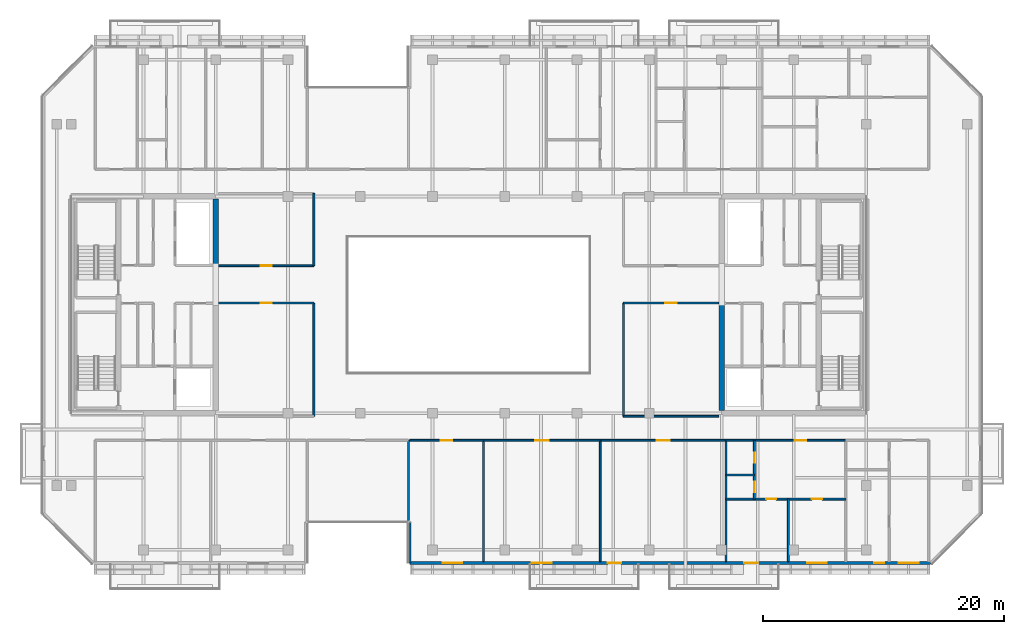
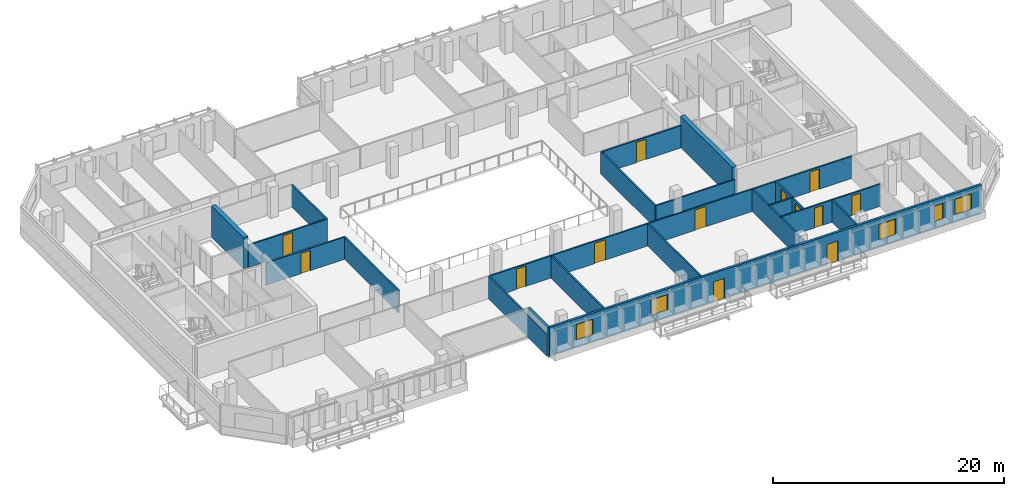
# One storey, part 11 of 22: 23 walls, 13 doors, 5 windows, 18 openings.
"""IFC4 building model written with IfcOpenShell, lengths in metres."""

from ifc_helpers import new_model, si_unit, direction, frame, frame_2d, origin, place, context, subcontext, project, spatial, rectangle, extrude, material, layer, layer_set, type_object, element, fill, save


model = new_model("IFC4")

# Units and contexts
model_context = context("Model", 3, precision=1e-05, world=origin(), true_north=direction((0.0, 1.0)))
body_context = subcontext(model_context, "Body", "Model", "MODEL_VIEW")
ifc_project = project(units=[si_unit("LENGTHUNIT", "METRE"), si_unit("AREAUNIT", "SQUARE_METRE"), si_unit("VOLUMEUNIT", "CUBIC_METRE"), si_unit("PLANEANGLEUNIT", "RADIAN"), si_unit("MASSUNIT", "GRAM", prefix="KILO")], contexts=[model_context])

# Site, building, storey
site_placement = place(None, origin())
site = spatial("IfcSite", under=ifc_project, at=site_placement, CompositionType="ELEMENT")
building_placement = place(site_placement, origin())
building = spatial("IfcBuilding", under=site, at=building_placement, Name="Tanjung Sevakor Pilgrim Tower", CompositionType="ELEMENT")
storey_placement = place(building_placement, frame((0.0, 0.0, 195.030029296875)))
storey = spatial("IfcBuildingStorey", under=building, at=storey_placement, Name="L54", CompositionType="ELEMENT", Elevation=195.030029296875)

# Walls
ifc_material_1 = material(Name="Concrete C60/75", Category="concrete")
ifc_layer_1 = layer(ifc_material_1, 0.449951171875)
ifc_layer_set_1 = layer_set([ifc_layer_1], Name="WALL-CW-450")
wall_type_1 = type_object("IfcWallType", Name="WALL-CW-450", PredefinedType="SHEAR", material=ifc_layer_set_1)
wall_1_placement = place(storey_placement, frame((36.0, 36.800048828125, 0.0), z_axis=(0.0, 0.0, 1.0), x_axis=(0.0, 1.0, 0.0)))
element("IfcWall", 1, at=wall_1_placement, inside=storey, type_object=wall_type_1, Name="L54 W Core Inner Shear Wall North", PredefinedType="SHEAR", context=body_context, shape_type="SweptSolid", body=[
    extrude(rectangle(XDim=5.574951171875, YDim=0.449951171875, at=frame_2d((2.78759765625, 0.0))), origin(), (0.0, 0.0, 1.0), 3.300048828125),
])
wall_2_placement = place(storey_placement, frame((78.0, 24.824951171875, 0.0), z_axis=(0.0, 0.0, 1.0), x_axis=(0.0, 1.0, 0.0)))
element("IfcWall", 2, at=wall_2_placement, inside=storey, type_object=wall_type_1, Name="L54 E Core Inner Shear Wall South", PredefinedType="SHEAR", context=body_context, shape_type="SweptSolid", body=[
    extrude(rectangle(XDim=8.97509765625, YDim=0.449951171875, at=frame_2d((4.487548828125, 0.0))), origin(), (0.0, 0.0, 1.0), 3.300048828125),
])

# Wall, opening, door
ifc_material_2 = material(Name="Concrete C40/50", Category="concrete")
ifc_layer_2 = layer(ifc_material_2, 0.14990234375)
ifc_layer_set_2 = layer_set([ifc_layer_2], Name="WT-COMP-150")
wall_type_2 = type_object("IfcWallType", Name="WT-COMP-150", PredefinedType="SOLIDWALL", material=ifc_layer_set_2)
wall_3_placement = place(storey_placement, frame((36.2451171875, 33.75, 0.0), z_axis=(0.0, 0.0, 1.0), x_axis=(1.0, 0.0, 0.0)))
wall_3 = element("IfcWall", 3, at=wall_3_placement, inside=storey, type_object=wall_type_2, Name="L54 Partition IW-L54-034", PredefinedType="SOLIDWALL", context=body_context, shape_type="SweptSolid", body=[
    extrude(rectangle(XDim=7.90478515625, YDim=0.14990234375, at=frame_2d((3.952392578125, 0.0))), origin(), (0.0, 0.0, 1.0), 2.35009765625),
])
opening_1_placement = place(wall_3_placement, frame((3.4775390625, 0.0, 0.0)))
opening_1 = element("IfcOpeningElement", 4, at=opening_1_placement, cuts=wall_3, Name="Opening ID-RM1", PredefinedType="OPENING", context=body_context, shape_type="SweptSolid", body=[
    extrude(rectangle(XDim=0.949951171875, YDim=2.14990234375, at=frame_2d((0.47509765625, 1.074951171875))), frame((0.0, 0.0849609375, 0.0), z_axis=(0.0, -1.0, 0.0), x_axis=(1.0, 0.0, 0.0)), (0.0, 0.0, 1.0), 0.169921875),
])
ifc_material_3 = material(Name="Hardwood Timber", Category="wood")
door_type_1 = type_object("IfcDoorType", Name="DT-INT-950", OperationType="NOTDEFINED", PredefinedType="DOOR", material=ifc_material_3)
door_1_placement = place(opening_1_placement, origin())
door_1 = element("IfcDoor", 5, at=door_1_placement, inside=storey, type_object=door_type_1, Name="L54 West Inboard South Door", OperationType="SINGLE_SWING_RIGHT", OverallHeight=2.14990234375, OverallWidth=0.949951171875, PredefinedType="DOOR", context=body_context, shape_type="SweptSolid", body=[
    extrude(rectangle(XDim=0.949951171875, YDim=2.14990234375, at=frame_2d((0.47509765625, 1.074951171875))), frame((0.0, 0.02490234375, 0.0), z_axis=(0.0, -1.0, 0.0), x_axis=(1.0, 0.0, 0.0)), (0.0, 0.0, 1.0), 0.050048828125),
])
fill(opening_1, door_1)

# Wall
wall_4_placement = place(storey_placement, frame((44.14990234375, 24.35009765625, 0.0), z_axis=(0.0, 0.0, 1.0), x_axis=(0.0, 1.0, 0.0)))
element("IfcWall", 6, at=wall_4_placement, inside=storey, type_object=wall_type_2, Name="L54 Partition IW-L54-035", PredefinedType="SOLIDWALL", context=body_context, shape_type="SweptSolid", body=[
    extrude(rectangle(XDim=9.39990234375, YDim=0.14990234375, at=frame_2d((4.699951171875, 0.0))), origin(), (0.0, 0.0, 1.0), 2.35009765625),
])

# Wall, opening, door
wall_5_placement = place(storey_placement, frame((36.2451171875, 36.85009765625, 0.0), z_axis=(0.0, 0.0, 1.0), x_axis=(1.0, 0.0, 0.0)))
wall_5 = element("IfcWall", 7, at=wall_5_placement, inside=storey, type_object=wall_type_2, Name="L54 Partition IW-L54-036", PredefinedType="SOLIDWALL", context=body_context, shape_type="SweptSolid", body=[
    extrude(rectangle(XDim=7.90478515625, YDim=0.14990234375, at=frame_2d((3.952392578125, 0.0))), origin(), (0.0, 0.0, 1.0), 2.35009765625),
])
opening_2_placement = place(wall_5_placement, frame((3.4775390625, 0.0, 0.0)))
opening_2 = element("IfcOpeningElement", 8, at=opening_2_placement, cuts=wall_5, Name="Opening ID-RM1", PredefinedType="OPENING", context=body_context, shape_type="SweptSolid", body=[
    extrude(rectangle(XDim=0.949951171875, YDim=2.14990234375, at=frame_2d((0.47509765625, 1.074951171875))), frame((0.0, 0.0849609375, 0.0), z_axis=(0.0, -1.0, 0.0), x_axis=(1.0, 0.0, 0.0)), (0.0, 0.0, 1.0), 0.169921875),
])
door_2_placement = place(opening_2_placement, origin())
door_2 = element("IfcDoor", 9, at=door_2_placement, inside=storey, type_object=door_type_1, Name="L54 West Inboard North Door", OperationType="SINGLE_SWING_LEFT", OverallHeight=2.14990234375, OverallWidth=0.949951171875, PredefinedType="DOOR", context=body_context, shape_type="SweptSolid", body=[
    extrude(rectangle(XDim=0.949951171875, YDim=2.14990234375, at=frame_2d((0.47509765625, 1.074951171875))), frame((0.0, 0.02490234375, 0.0), z_axis=(0.0, -1.0, 0.0), x_axis=(1.0, 0.0, 0.0)), (0.0, 0.0, 1.0), 0.050048828125),
])
fill(opening_2, door_2)

# Walls
wall_6_placement = place(storey_placement, frame((44.14990234375, 36.85009765625, 0.0), z_axis=(0.0, 0.0, 1.0), x_axis=(0.0, 1.0, 0.0)))
element("IfcWall", 10, at=wall_6_placement, inside=storey, type_object=wall_type_2, Name="L54 Partition IW-L54-038", PredefinedType="SOLIDWALL", context=body_context, shape_type="SweptSolid", body=[
    extrude(rectangle(XDim=6.0, YDim=0.14990234375, at=frame_2d((3.0, 0.0))), origin(), (0.0, 0.0, 1.0), 2.35009765625),
])
wall_7_placement = place(storey_placement, frame((69.85009765625, 24.35009765625, 0.0), z_axis=(0.0, 0.0, 1.0), x_axis=(1.0, 0.0, 0.0)))
element("IfcWall", 11, at=wall_7_placement, inside=storey, type_object=wall_type_2, Name="L54 Partition IW-L54-039", PredefinedType="SOLIDWALL", context=body_context, shape_type="SweptSolid", body=[
    extrude(rectangle(XDim=7.90478515625, YDim=0.14990234375, at=frame_2d((3.952392578125, 0.0))), origin(), (0.0, 0.0, 1.0), 2.35009765625),
])

# Wall, opening, door
wall_8_placement = place(storey_placement, frame((69.85009765625, 33.75, 0.0), z_axis=(0.0, 0.0, 1.0), x_axis=(1.0, 0.0, 0.0)))
wall_8 = element("IfcWall", 12, at=wall_8_placement, inside=storey, type_object=wall_type_2, Name="L54 Partition IW-L54-040", PredefinedType="SOLIDWALL", context=body_context, shape_type="SweptSolid", body=[
    extrude(rectangle(XDim=7.90478515625, YDim=0.14990234375, at=frame_2d((3.952392578125, 0.0))), origin(), (0.0, 0.0, 1.0), 2.35009765625),
])
opening_3_placement = place(wall_8_placement, frame((3.4775390625, 0.0, 0.0)))
opening_3 = element("IfcOpeningElement", 13, at=opening_3_placement, cuts=wall_8, Name="Opening ID-RM1", PredefinedType="OPENING", context=body_context, shape_type="SweptSolid", body=[
    extrude(rectangle(XDim=0.949951171875, YDim=2.14990234375, at=frame_2d((0.47509765625, 1.074951171875))), frame((0.0, 0.0849609375, 0.0), z_axis=(0.0, -1.0, 0.0), x_axis=(1.0, 0.0, 0.0)), (0.0, 0.0, 1.0), 0.169921875),
])
door_3_placement = place(opening_3_placement, origin())
door_3 = element("IfcDoor", 14, at=door_3_placement, inside=storey, type_object=door_type_1, Name="L54 East Inboard South Door", OperationType="SINGLE_SWING_RIGHT", OverallHeight=2.14990234375, OverallWidth=0.949951171875, PredefinedType="DOOR", context=body_context, shape_type="SweptSolid", body=[
    extrude(rectangle(XDim=0.949951171875, YDim=2.14990234375, at=frame_2d((0.47509765625, 1.074951171875))), frame((0.0, 0.02490234375, 0.0), z_axis=(0.0, -1.0, 0.0), x_axis=(1.0, 0.0, 0.0)), (0.0, 0.0, 1.0), 0.050048828125),
])
fill(opening_3, door_3)

# Walls
wall_9_placement = place(storey_placement, frame((69.85009765625, 24.35009765625, 0.0), z_axis=(0.0, 0.0, 1.0), x_axis=(0.0, 1.0, 0.0)))
element("IfcWall", 15, at=wall_9_placement, inside=storey, type_object=wall_type_2, Name="L54 Partition IW-L54-041", PredefinedType="SOLIDWALL", context=body_context, shape_type="SweptSolid", body=[
    extrude(rectangle(XDim=9.39990234375, YDim=0.14990234375, at=frame_2d((4.699951171875, 0.0))), origin(), (0.0, 0.0, 1.0), 2.35009765625),
])
for number, where, z_axis, x_axis, name in (
    (16, (52.0, 12.27001953125, 0.0), (0.0, 0.0, 1.0), (0.0, 1.0, 0.0), "L54 Partition IW-L54-047"),
    (17, (58.23779296875, 12.27001953125, 0.0), (0.0, 0.0, 1.0), (0.0, 1.0, 0.0), "L54 Partition IW-L54-056"),
):
    element("IfcWall", number, at=place(storey_placement, frame(where, z_axis=z_axis, x_axis=x_axis)), inside=storey, type_object=wall_type_2, Name=name, PredefinedType="SOLIDWALL", context=body_context, shape_type="SweptSolid", body=[
        extrude(rectangle(XDim=10.080078125, YDim=0.14990234375, at=frame_2d((5.0400390625, 0.0))), origin(), (0.0, 0.0, 1.0), 2.35009765625),
    ])

# Wall, opening, door
wall_10_placement = place(storey_placement, frame((52.1201171875, 22.35009765625, 0.0), z_axis=(0.0, 0.0, 1.0), x_axis=(1.0, 0.0, 0.0)))
wall_10 = element("IfcWall", 18, at=wall_10_placement, inside=storey, type_object=wall_type_2, Name="L54 Partition IW-L54-057", PredefinedType="SOLIDWALL", context=body_context, shape_type="SweptSolid", body=[
    extrude(rectangle(XDim=6.11767578125, YDim=0.14990234375, at=frame_2d((3.058837890625, 0.0))), origin(), (0.0, 0.0, 1.0), 2.35009765625),
])
opening_4_placement = place(wall_10_placement, frame((2.583984375, 0.0, 0.0)))
opening_4 = element("IfcOpeningElement", 19, at=opening_4_placement, cuts=wall_10, Name="Opening ID-FD2", PredefinedType="OPENING", context=body_context, shape_type="SweptSolid", body=[
    extrude(rectangle(XDim=0.949951171875, YDim=2.14990234375, at=frame_2d((0.47509765625, 1.074951171875))), frame((0.0, 0.0849609375, 0.0), z_axis=(0.0, -1.0, 0.0), x_axis=(1.0, 0.0, 0.0)), (0.0, 0.0, 1.0), 0.169921875),
])
ifc_material_4 = material(Name="Fire-Rated Timber", Category="wood")
door_type_2 = type_object("IfcDoorType", Name="DT-FIRE-950", OperationType="NOTDEFINED", PredefinedType="DOOR", material=ifc_material_4)
door_4_placement = place(opening_4_placement, origin())
door_4 = element("IfcDoor", 20, at=door_4_placement, inside=storey, type_object=door_type_2, Name="Housekeeping Pantry Door", OperationType="SINGLE_SWING_RIGHT", OverallHeight=2.14990234375, OverallWidth=0.949951171875, PredefinedType="DOOR", context=body_context, shape_type="SweptSolid", body=[
    extrude(rectangle(XDim=0.949951171875, YDim=2.14990234375, at=frame_2d((0.47509765625, 1.074951171875))), frame((0.0, 0.02490234375, 0.0), z_axis=(0.0, -1.0, 0.0), x_axis=(1.0, 0.0, 0.0)), (0.0, 0.0, 1.0), 0.050048828125),
])
fill(opening_4, door_4)

# Wall
wall_11_placement = place(storey_placement, frame((67.924560546875, 12.27001953125, 0.0), z_axis=(0.0, 0.0, 1.0), x_axis=(0.0, 1.0, 0.0)))
element("IfcWall", 21, at=wall_11_placement, inside=storey, type_object=wall_type_2, Name="L54 Partition IW-L54-058", PredefinedType="SOLIDWALL", context=body_context, shape_type="SweptSolid", body=[
    extrude(rectangle(XDim=10.080078125, YDim=0.14990234375, at=frame_2d((5.0400390625, 0.0))), origin(), (0.0, 0.0, 1.0), 2.35009765625),
])

# Wall, opening, door
wall_12_placement = place(storey_placement, frame((58.23779296875, 22.35009765625, 0.0), z_axis=(0.0, 0.0, 1.0), x_axis=(1.0, 0.0, 0.0)))
wall_12 = element("IfcWall", 22, at=wall_12_placement, inside=storey, type_object=wall_type_2, Name="L54 Partition IW-L54-059", PredefinedType="SOLIDWALL", context=body_context, shape_type="SweptSolid", body=[
    extrude(rectangle(XDim=9.686767578125, YDim=0.14990234375, at=frame_2d((4.84326171875, 0.0))), origin(), (0.0, 0.0, 1.0), 2.35009765625),
])
opening_5_placement = place(wall_12_placement, frame((4.293212890625, 0.0, 0.0)))
opening_5 = element("IfcOpeningElement", 23, at=opening_5_placement, cuts=wall_12, Name="Opening ID-FD0", PredefinedType="OPENING", context=body_context, shape_type="SweptSolid", body=[
    extrude(rectangle(XDim=1.10009765625, YDim=2.14990234375, at=frame_2d((0.550048828125, 1.074951171875))), frame((0.0, 0.0849609375, 0.0), z_axis=(0.0, -1.0, 0.0), x_axis=(1.0, 0.0, 0.0)), (0.0, 0.0, 1.0), 0.169921875),
])
ifc_material_5 = material(Name="Fire-Rated Steel S355J2", Category="steel")
door_type_3 = type_object("IfcDoorType", Name="DT-FIRE-1100", OperationType="NOTDEFINED", PredefinedType="DOOR", material=ifc_material_5)
door_5_placement = place(opening_5_placement, origin())
door_5 = element("IfcDoor", 24, at=door_5_placement, inside=storey, type_object=door_type_3, Name="Seminar Room Door", OperationType="SINGLE_SWING_LEFT", OverallHeight=2.14990234375, OverallWidth=1.10009765625, PredefinedType="DOOR", context=body_context, shape_type="SweptSolid", body=[
    extrude(rectangle(XDim=1.10009765625, YDim=2.14990234375, at=frame_2d((0.550048828125, 1.074951171875))), frame((0.0, 0.02490234375, 0.0), z_axis=(0.0, -1.0, 0.0), x_axis=(1.0, 0.0, 0.0)), (0.0, 0.0, 1.0), 0.050048828125),
])
fill(opening_5, door_5)

# Wall
wall_13_placement = place(storey_placement, frame((78.3759765625, 12.27001953125, 0.0), z_axis=(0.0, 0.0, 1.0), x_axis=(0.0, 1.0, 0.0)))
element("IfcWall", 25, at=wall_13_placement, inside=storey, type_object=wall_type_2, Name="L54 Partition IW-L54-060", PredefinedType="SOLIDWALL", context=body_context, shape_type="SweptSolid", body=[
    extrude(rectangle(XDim=10.080078125, YDim=0.14990234375, at=frame_2d((5.0400390625, 0.0))), origin(), (0.0, 0.0, 1.0), 2.35009765625),
])

# Wall, opening, door
wall_14_placement = place(storey_placement, frame((67.924560546875, 22.35009765625, 0.0), z_axis=(0.0, 0.0, 1.0), x_axis=(1.0, 0.0, 0.0)))
wall_14 = element("IfcWall", 26, at=wall_14_placement, inside=storey, type_object=wall_type_2, Name="L54 Partition IW-L54-061", PredefinedType="SOLIDWALL", context=body_context, shape_type="SweptSolid", body=[
    extrude(rectangle(XDim=10.451416015625, YDim=0.14990234375, at=frame_2d((5.2255859375, 0.0))), origin(), (0.0, 0.0, 1.0), 2.35009765625),
])
opening_6_placement = place(wall_14_placement, frame((4.67578125, 0.0, 0.0)))
opening_6 = element("IfcOpeningElement", 27, at=opening_6_placement, cuts=wall_14, Name="Opening ID-FD0", PredefinedType="OPENING", context=body_context, shape_type="SweptSolid", body=[
    extrude(rectangle(XDim=1.10009765625, YDim=2.14990234375, at=frame_2d((0.550048828125, 1.074951171875))), frame((0.0, 0.0849609375, 0.0), z_axis=(0.0, -1.0, 0.0), x_axis=(1.0, 0.0, 0.0)), (0.0, 0.0, 1.0), 0.169921875),
])
door_6_placement = place(opening_6_placement, origin())
door_6 = element("IfcDoor", 28, at=door_6_placement, inside=storey, type_object=door_type_3, Name="Observatory Door", OperationType="SINGLE_SWING_RIGHT", OverallHeight=2.14990234375, OverallWidth=1.10009765625, PredefinedType="DOOR", context=body_context, shape_type="SweptSolid", body=[
    extrude(rectangle(XDim=1.10009765625, YDim=2.14990234375, at=frame_2d((0.550048828125, 1.074951171875))), frame((0.0, 0.02490234375, 0.0), z_axis=(0.0, -1.0, 0.0), x_axis=(1.0, 0.0, 0.0)), (0.0, 0.0, 1.0), 0.050048828125),
])
fill(opening_6, door_6)

wall_15_placement = place(storey_placement, frame((78.3759765625, 22.35009765625, 0.0), z_axis=(0.0, 0.0, 1.0), x_axis=(1.0, 0.0, 0.0)))
wall_15 = element("IfcWall", 29, at=wall_15_placement, inside=storey, type_object=wall_type_2, Name="L54 Partition IW-L54-067", PredefinedType="SOLIDWALL", context=body_context, shape_type="SweptSolid", body=[
    extrude(rectangle(XDim=9.94140625, YDim=0.14990234375, at=frame_2d((4.970703125, 0.0))), origin(), (0.0, 0.0, 1.0), 2.35009765625),
])
opening_7_placement = place(wall_15_placement, frame((5.710693359375, 0.0, 0.0)))
opening_7 = element("IfcOpeningElement", 30, at=opening_7_placement, cuts=wall_15, Name="Opening ID-FD2", PredefinedType="OPENING", context=body_context, shape_type="SweptSolid", body=[
    extrude(rectangle(XDim=0.949951171875, YDim=2.14990234375, at=frame_2d((0.47509765625, 1.074951171875))), frame((0.0, 0.0849609375, 0.0), z_axis=(0.0, -1.0, 0.0), x_axis=(1.0, 0.0, 0.0)), (0.0, 0.0, 1.0), 0.169921875),
])
door_7_placement = place(opening_7_placement, origin())
door_7 = element("IfcDoor", 31, at=door_7_placement, inside=storey, type_object=door_type_2, Name="Suite Entrance", OperationType="SINGLE_SWING_LEFT", OverallHeight=2.14990234375, OverallWidth=0.949951171875, PredefinedType="DOOR", context=body_context, shape_type="SweptSolid", body=[
    extrude(rectangle(XDim=0.949951171875, YDim=2.14990234375, at=frame_2d((0.47509765625, 1.074951171875))), frame((0.0, 0.02490234375, 0.0), z_axis=(0.0, -1.0, 0.0), x_axis=(1.0, 0.0, 0.0)), (0.0, 0.0, 1.0), 0.050048828125),
])
fill(opening_7, door_7)

# Wall
ifc_material_6 = material(Name="Precast concrete C45/55", Category="concrete")
ifc_layer_3 = layer(ifc_material_6, 0.219970703125)
ifc_layer_set_3 = layer_set([ifc_layer_3], Name="WT-EW-STN4")
wall_type_3 = type_object("IfcWallType", Name="WT-EW-STN4", PredefinedType="SOLIDWALL", material=ifc_layer_set_3)
wall_16_placement = place(storey_placement, frame((52.110107421875, 15.56005859375, 0.0), z_axis=(0.0, 0.0, 1.0), x_axis=(0.0, -1.0, 0.0)))
element("IfcWall", 32, at=wall_16_placement, inside=storey, type_object=wall_type_3, Name="L54 MAIN Exterior Wall 4", PredefinedType="SOLIDWALL", context=body_context, shape_type="SweptSolid", body=[
    extrude(rectangle(XDim=3.400146484375, YDim=0.219970703125, at=frame_2d((1.7001953125, 0.0))), origin(), (0.0, 0.0, 1.0), 3.080078125),
])

# Wall, openings, doors, windows
wall_17_placement = place(storey_placement, frame((52.110107421875, 12.159912109375, 0.0), z_axis=(0.0, 0.0, 1.0), x_axis=(1.0, 0.0, 0.0)))
wall_17 = element("IfcWall", 33, at=wall_17_placement, inside=storey, type_object=wall_type_3, Name="L54 MAIN Exterior Wall 5", PredefinedType="SOLIDWALL", context=body_context, shape_type="SweptSolid", body=[
    extrude(rectangle(XDim=43.244384765625, YDim=0.219970703125, at=frame_2d((21.6220703125, 0.0))), origin(), (0.0, 0.0, 1.0), 3.080078125),
])
opening_8_placement = place(wall_17_placement, frame((16.43994140625, 0.0, 0.0)))
opening_8 = element("IfcOpeningElement", 34, at=opening_8_placement, cuts=wall_17, Name="Opening ED-BAL-1100", PredefinedType="OPENING", context=body_context, shape_type="SweptSolid", body=[
    extrude(rectangle(XDim=1.10009765625, YDim=2.14990234375, at=frame_2d((0.550048828125, 1.074951171875))), frame((0.0, 0.119873046875, 0.0), z_axis=(0.0, -1.0, 0.0), x_axis=(1.0, 0.0, 0.0)), (0.0, 0.0, 1.0), 0.239990234375),
])
opening_9_placement = place(wall_17_placement, frame((27.7900390625, 0.0, 0.0)))
opening_9 = element("IfcOpeningElement", 35, at=opening_9_placement, cuts=wall_17, Name="Opening ED-BAL-1100", PredefinedType="OPENING", context=body_context, shape_type="SweptSolid", body=[
    extrude(rectangle(XDim=1.10009765625, YDim=2.14990234375, at=frame_2d((0.550048828125, 1.074951171875))), frame((0.0, 0.119873046875, 0.0), z_axis=(0.0, -1.0, 0.0), x_axis=(1.0, 0.0, 0.0)), (0.0, 0.0, 1.0), 0.239990234375),
])
opening_10_placement = place(wall_17_placement, frame((2.72412109375, 0.0, 0.780029296875)))
opening_10 = element("IfcOpeningElement", 36, at=opening_10_placement, cuts=wall_17, Name="Opening WN-Z4-1660", PredefinedType="OPENING", context=body_context, shape_type="SweptSolid", body=[
    extrude(rectangle(XDim=1.64990234375, YDim=1.659912109375, at=frame_2d((0.824951171875, 0.830078125))), frame((0.0, 0.119873046875, 0.0), z_axis=(0.0, -1.0, 0.0), x_axis=(1.0, 0.0, 0.0)), (0.0, 0.0, 1.0), 0.239990234375),
])
opening_11_placement = place(wall_17_placement, frame((10.146240234375, 0.0, 0.780029296875)))
opening_11 = element("IfcOpeningElement", 37, at=opening_11_placement, cuts=wall_17, Name="Opening WN-Z4-1660", PredefinedType="OPENING", context=body_context, shape_type="SweptSolid", body=[
    extrude(rectangle(XDim=1.64990234375, YDim=1.659912109375, at=frame_2d((0.824951171875, 0.830078125))), frame((0.0, 0.119873046875, 0.0), z_axis=(0.0, -1.0, 0.0), x_axis=(1.0, 0.0, 0.0)), (0.0, 0.0, 1.0), 0.239990234375),
])
opening_12_placement = place(wall_17_placement, frame((32.986328125, 0.0, 0.780029296875)))
opening_12 = element("IfcOpeningElement", 38, at=opening_12_placement, cuts=wall_17, Name="Opening WN-Z4-1660", PredefinedType="OPENING", context=body_context, shape_type="SweptSolid", body=[
    extrude(rectangle(XDim=1.64990234375, YDim=1.659912109375, at=frame_2d((0.824951171875, 0.830078125))), frame((0.0, 0.119873046875, 0.0), z_axis=(0.0, -1.0, 0.0), x_axis=(1.0, 0.0, 0.0)), (0.0, 0.0, 1.0), 0.239990234375),
])
opening_13_placement = place(wall_17_placement, frame((38.5537109375, 0.0, 0.780029296875)))
opening_13 = element("IfcOpeningElement", 39, at=opening_13_placement, cuts=wall_17, Name="Opening WN-SLM", PredefinedType="OPENING", context=body_context, shape_type="SweptSolid", body=[
    extrude(rectangle(XDim=0.85009765625, YDim=1.64990234375, at=frame_2d((0.425048828125, 0.824951171875))), frame((0.0, 0.119873046875, 0.0), z_axis=(0.0, -1.0, 0.0), x_axis=(1.0, 0.0, 0.0)), (0.0, 0.0, 1.0), 0.239990234375),
])
opening_14_placement = place(wall_17_placement, frame((40.614990234375, 0.0, 0.780029296875)))
opening_14 = element("IfcOpeningElement", 40, at=opening_14_placement, cuts=wall_17, Name="Opening WN-Z4-1660", PredefinedType="OPENING", context=body_context, shape_type="SweptSolid", body=[
    extrude(rectangle(XDim=1.64990234375, YDim=1.659912109375, at=frame_2d((0.824951171875, 0.830078125))), frame((0.0, 0.119873046875, 0.0), z_axis=(0.0, -1.0, 0.0), x_axis=(1.0, 0.0, 0.0)), (0.0, 0.0, 1.0), 0.239990234375),
])
ifc_material_7 = material(Name="Anodised Aluminium and Laminated Glass", Category="aluminium")
door_type_4 = type_object("IfcDoorType", Name="DTYP-ED-BAL-1100", OperationType="NOTDEFINED", PredefinedType="DOOR", material=ifc_material_7)
door_8_placement = place(opening_8_placement, frame((1.10009765625, 0.0, 0.0), z_axis=(0.0, 0.0, 1.0), x_axis=(-1.0, 0.0, 0.0)))
door_8 = element("IfcDoor", 41, at=door_8_placement, inside=storey, type_object=door_type_4, Name="L54 Balcony Door MAIN-S2", OperationType="SINGLE_SWING_RIGHT", OverallHeight=2.14990234375, OverallWidth=1.10009765625, PredefinedType="DOOR", context=body_context, shape_type="SweptSolid", body=[
    extrude(rectangle(XDim=1.10009765625, YDim=2.14990234375, at=frame_2d((0.550048828125, 1.074951171875))), frame((0.0, 0.02490234375, 0.0), z_axis=(0.0, -1.0, 0.0), x_axis=(1.0, 0.0, 0.0)), (0.0, 0.0, 1.0), 0.050048828125),
])
fill(opening_8, door_8)
door_9_placement = place(opening_9_placement, frame((1.10009765625, 0.0, 0.0), z_axis=(0.0, 0.0, 1.0), x_axis=(-1.0, 0.0, 0.0)))
door_9 = element("IfcDoor", 42, at=door_9_placement, inside=storey, type_object=door_type_4, Name="L54 Balcony Door MAIN-S3", OperationType="SINGLE_SWING_LEFT", OverallHeight=2.14990234375, OverallWidth=1.10009765625, PredefinedType="DOOR", context=body_context, shape_type="SweptSolid", body=[
    extrude(rectangle(XDim=1.10009765625, YDim=2.14990234375, at=frame_2d((0.550048828125, 1.074951171875))), frame((0.0, 0.02490234375, 0.0), z_axis=(0.0, -1.0, 0.0), x_axis=(1.0, 0.0, 0.0)), (0.0, 0.0, 1.0), 0.050048828125),
])
fill(opening_9, door_9)
ifc_material_8 = material(Name="Thermally Broken Aluminium and Low-E Glass", Category="aluminium")
window_type_1 = type_object("IfcWindowType", Name="WTYP-WN-SLM", PartitioningType="SINGLE_PANEL", PredefinedType="WINDOW", material=ifc_material_8)
window_1_placement = place(opening_13_placement, origin())
window_1 = element("IfcWindow", 43, at=window_1_placement, inside=storey, type_object=window_type_1, Name="L54 Facade Window 04", OverallHeight=1.64990234375, OverallWidth=0.85009765625, PartitioningType="SINGLE_PANEL", PredefinedType="WINDOW", context=body_context, shape_type="SweptSolid", body=[
    extrude(rectangle(XDim=0.85009765625, YDim=1.64990234375, at=frame_2d((0.425048828125, 0.824951171875))), frame((0.0, 0.030029296875, 0.0), z_axis=(0.0, -1.0, 0.0), x_axis=(1.0, 0.0, 0.0)), (0.0, 0.0, 1.0), 0.06005859375),
])
fill(opening_13, window_1)
ifc_material_9 = material(Name="Thermally Broken Aluminium and Low-E Glass", Category="aluminium")
window_type_2 = type_object("IfcWindowType", Name="WTYP-WN-Z4-1660", PartitioningType="DOUBLE_PANEL_VERTICAL", PredefinedType="WINDOW", material=ifc_material_9)
window_2_placement = place(opening_10_placement, origin())
window_2 = element("IfcWindow", 44, at=window_2_placement, inside=storey, type_object=window_type_2, Name="L54 Facade Window 01", OverallHeight=1.659912109375, OverallWidth=1.64990234375, PartitioningType="SINGLE_PANEL", PredefinedType="WINDOW", context=body_context, shape_type="SweptSolid", body=[
    extrude(rectangle(XDim=1.64990234375, YDim=1.659912109375, at=frame_2d((0.824951171875, 0.830078125))), frame((0.0, 0.030029296875, 0.0), z_axis=(0.0, -1.0, 0.0), x_axis=(1.0, 0.0, 0.0)), (0.0, 0.0, 1.0), 0.06005859375),
])
fill(opening_10, window_2)
window_3_placement = place(opening_11_placement, origin())
window_3 = element("IfcWindow", 45, at=window_3_placement, inside=storey, type_object=window_type_2, Name="L54 Facade Window 02", OverallHeight=1.659912109375, OverallWidth=1.64990234375, PartitioningType="SINGLE_PANEL", PredefinedType="WINDOW", context=body_context, shape_type="SweptSolid", body=[
    extrude(rectangle(XDim=1.64990234375, YDim=1.659912109375, at=frame_2d((0.824951171875, 0.830078125))), frame((0.0, 0.030029296875, 0.0), z_axis=(0.0, -1.0, 0.0), x_axis=(1.0, 0.0, 0.0)), (0.0, 0.0, 1.0), 0.06005859375),
])
fill(opening_11, window_3)
window_4_placement = place(opening_12_placement, origin())
window_4 = element("IfcWindow", 46, at=window_4_placement, inside=storey, type_object=window_type_2, Name="L54 Facade Window 03", OverallHeight=1.659912109375, OverallWidth=1.64990234375, PartitioningType="SINGLE_PANEL", PredefinedType="WINDOW", context=body_context, shape_type="SweptSolid", body=[
    extrude(rectangle(XDim=1.64990234375, YDim=1.659912109375, at=frame_2d((0.824951171875, 0.830078125))), frame((0.0, 0.030029296875, 0.0), z_axis=(0.0, -1.0, 0.0), x_axis=(1.0, 0.0, 0.0)), (0.0, 0.0, 1.0), 0.06005859375),
])
fill(opening_12, window_4)
window_5_placement = place(opening_14_placement, origin())
window_5 = element("IfcWindow", 47, at=window_5_placement, inside=storey, type_object=window_type_2, Name="L54 Facade Window 05", OverallHeight=1.659912109375, OverallWidth=1.64990234375, PartitioningType="SINGLE_PANEL", PredefinedType="WINDOW", context=body_context, shape_type="SweptSolid", body=[
    extrude(rectangle(XDim=1.64990234375, YDim=1.659912109375, at=frame_2d((0.824951171875, 0.830078125))), frame((0.0, 0.030029296875, 0.0), z_axis=(0.0, -1.0, 0.0), x_axis=(1.0, 0.0, 0.0)), (0.0, 0.0, 1.0), 0.06005859375),
])
fill(opening_14, window_5)

# Wall
ifc_material_10 = material(Name="Gypsum Board Partition", Category="gypsum board")
ifc_layer_4 = layer(ifc_material_10, 0.14990234375)
ifc_layer_set_4 = layer_set([ifc_layer_4], Name="WT-PART-150")
wall_type_4 = type_object("IfcWallType", Name="WT-PART-150", PredefinedType="PARTITIONING", material=ifc_layer_set_4)
wall_18_placement = place(storey_placement, frame((78.3759765625, 19.470703125, 0.0), z_axis=(0.0, 0.0, 1.0), x_axis=(1.0, 0.0, 0.0)))
element("IfcWall", 48, at=wall_18_placement, inside=storey, type_object=wall_type_4, Name="L54 Partition IW-L54-063", PredefinedType="PARTITIONING", context=body_context, shape_type="SweptSolid", body=[
    extrude(rectangle(XDim=2.349853515625, YDim=0.14990234375, at=frame_2d((1.1748046875, 0.0))), origin(), (0.0, 0.0, 1.0), 2.35009765625),
])

# Wall, openings, doors
wall_19_placement = place(storey_placement, frame((80.725830078125, 17.469970703125, 0.0), z_axis=(0.0, 0.0, 1.0), x_axis=(0.0, 1.0, 0.0)))
wall_19 = element("IfcWall", 49, at=wall_19_placement, inside=storey, type_object=wall_type_4, Name="L54 Partition IW-L54-064", PredefinedType="PARTITIONING", context=body_context, shape_type="SweptSolid", body=[
    extrude(rectangle(XDim=4.880126953125, YDim=0.14990234375, at=frame_2d((2.43994140625, 0.0))), origin(), (0.0, 0.0, 1.0), 2.35009765625),
])
opening_15_placement = place(wall_19_placement, frame((0.575439453125, 0.0, 0.0)))
opening_15 = element("IfcOpeningElement", 50, at=opening_15_placement, cuts=wall_19, Name="Opening ID-WC1", PredefinedType="OPENING", context=body_context, shape_type="SweptSolid", body=[
    extrude(rectangle(XDim=0.85009765625, YDim=2.10009765625, at=frame_2d((0.425048828125, 1.050048828125))), frame((0.0, 0.0849609375, 0.0), z_axis=(0.0, -1.0, 0.0), x_axis=(1.0, 0.0, 0.0)), (0.0, 0.0, 1.0), 0.169921875),
])
opening_16_placement = place(wall_19_placement, frame((3.015380859375, 0.0, 0.0)))
opening_16 = element("IfcOpeningElement", 51, at=opening_16_placement, cuts=wall_19, Name="Opening ID-WC1", PredefinedType="OPENING", context=body_context, shape_type="SweptSolid", body=[
    extrude(rectangle(XDim=0.85009765625, YDim=2.10009765625, at=frame_2d((0.425048828125, 1.050048828125))), frame((0.0, 0.0849609375, 0.0), z_axis=(0.0, -1.0, 0.0), x_axis=(1.0, 0.0, 0.0)), (0.0, 0.0, 1.0), 0.169921875),
])
ifc_material_11 = material(Name="Moisture-Resistant Timber", Category="wood")
door_type_5 = type_object("IfcDoorType", Name="DT-INT-850", OperationType="NOTDEFINED", PredefinedType="DOOR", material=ifc_material_11)
door_10_placement = place(opening_15_placement, origin())
door_10 = element("IfcDoor", 52, at=door_10_placement, inside=storey, type_object=door_type_5, Name="Suite Bathroom Door", OperationType="SINGLE_SWING_LEFT", OverallHeight=2.10009765625, OverallWidth=0.85009765625, PredefinedType="DOOR", context=body_context, shape_type="SweptSolid", body=[
    extrude(rectangle(XDim=0.85009765625, YDim=2.10009765625, at=frame_2d((0.425048828125, 1.050048828125))), frame((0.0, 0.02490234375, 0.0), z_axis=(0.0, -1.0, 0.0), x_axis=(1.0, 0.0, 0.0)), (0.0, 0.0, 1.0), 0.050048828125),
])
fill(opening_15, door_10)
door_11_placement = place(opening_16_placement, origin())
door_11 = element("IfcDoor", 53, at=door_11_placement, inside=storey, type_object=door_type_5, Name="Suite Kitchenette Door", OperationType="SINGLE_SWING_RIGHT", OverallHeight=2.10009765625, OverallWidth=0.85009765625, PredefinedType="DOOR", context=body_context, shape_type="SweptSolid", body=[
    extrude(rectangle(XDim=0.85009765625, YDim=2.10009765625, at=frame_2d((0.425048828125, 1.050048828125))), frame((0.0, 0.02490234375, 0.0), z_axis=(0.0, -1.0, 0.0), x_axis=(1.0, 0.0, 0.0)), (0.0, 0.0, 1.0), 0.050048828125),
])
fill(opening_16, door_11)

# Wall
wall_20_placement = place(storey_placement, frame((83.54541015625, 12.27001953125, 0.0), z_axis=(0.0, 0.0, 1.0), x_axis=(0.0, 1.0, 0.0)))
element("IfcWall", 54, at=wall_20_placement, inside=storey, type_object=wall_type_4, Name="L54 Partition IW-L54-065", PredefinedType="PARTITIONING", context=body_context, shape_type="SweptSolid", body=[
    extrude(rectangle(XDim=5.199951171875, YDim=0.14990234375, at=frame_2d((2.60009765625, 0.0))), origin(), (0.0, 0.0, 1.0), 2.35009765625),
])

# Wall, openings, doors
wall_21_placement = place(storey_placement, frame((78.3759765625, 17.469970703125, 0.0), z_axis=(0.0, 0.0, 1.0), x_axis=(1.0, 0.0, 0.0)))
wall_21 = element("IfcWall", 55, at=wall_21_placement, inside=storey, type_object=wall_type_4, Name="L54 Partition IW-L54-066", PredefinedType="PARTITIONING", context=body_context, shape_type="SweptSolid", body=[
    extrude(rectangle(XDim=9.94140625, YDim=0.14990234375, at=frame_2d((4.970703125, 0.0))), origin(), (0.0, 0.0, 1.0), 2.35009765625),
])
opening_17_placement = place(wall_21_placement, frame((3.334716796875, 0.0, 0.0)))
opening_17 = element("IfcOpeningElement", 56, at=opening_17_placement, cuts=wall_21, Name="Opening ID-WC1", PredefinedType="OPENING", context=body_context, shape_type="SweptSolid", body=[
    extrude(rectangle(XDim=0.85009765625, YDim=2.10009765625, at=frame_2d((0.425048828125, 1.050048828125))), frame((0.0, 0.0849609375, 0.0), z_axis=(0.0, -1.0, 0.0), x_axis=(1.0, 0.0, 0.0)), (0.0, 0.0, 1.0), 0.169921875),
])
opening_18_placement = place(wall_21_placement, frame((7.130615234375, 0.0, 0.0)))
opening_18 = element("IfcOpeningElement", 57, at=opening_18_placement, cuts=wall_21, Name="Opening ID-WC1", PredefinedType="OPENING", context=body_context, shape_type="SweptSolid", body=[
    extrude(rectangle(XDim=0.85009765625, YDim=2.10009765625, at=frame_2d((0.425048828125, 1.050048828125))), frame((0.0, 0.0849609375, 0.0), z_axis=(0.0, -1.0, 0.0), x_axis=(1.0, 0.0, 0.0)), (0.0, 0.0, 1.0), 0.169921875),
])
door_12_placement = place(opening_17_placement, origin())
door_12 = element("IfcDoor", 58, at=door_12_placement, inside=storey, type_object=door_type_5, Name="Suite Bedroom 1 Door", OperationType="SINGLE_SWING_LEFT", OverallHeight=2.10009765625, OverallWidth=0.85009765625, PredefinedType="DOOR", context=body_context, shape_type="SweptSolid", body=[
    extrude(rectangle(XDim=0.85009765625, YDim=2.10009765625, at=frame_2d((0.425048828125, 1.050048828125))), frame((0.0, 0.02490234375, 0.0), z_axis=(0.0, -1.0, 0.0), x_axis=(1.0, 0.0, 0.0)), (0.0, 0.0, 1.0), 0.050048828125),
])
fill(opening_17, door_12)
door_13_placement = place(opening_18_placement, origin())
door_13 = element("IfcDoor", 59, at=door_13_placement, inside=storey, type_object=door_type_5, Name="Suite Bedroom 2 Door", OperationType="SINGLE_SWING_RIGHT", OverallHeight=2.10009765625, OverallWidth=0.85009765625, PredefinedType="DOOR", context=body_context, shape_type="SweptSolid", body=[
    extrude(rectangle(XDim=0.85009765625, YDim=2.10009765625, at=frame_2d((0.425048828125, 1.050048828125))), frame((0.0, 0.02490234375, 0.0), z_axis=(0.0, -1.0, 0.0), x_axis=(1.0, 0.0, 0.0)), (0.0, 0.0, 1.0), 0.050048828125),
])
fill(opening_18, door_13)

save(model, "model.ifc")
